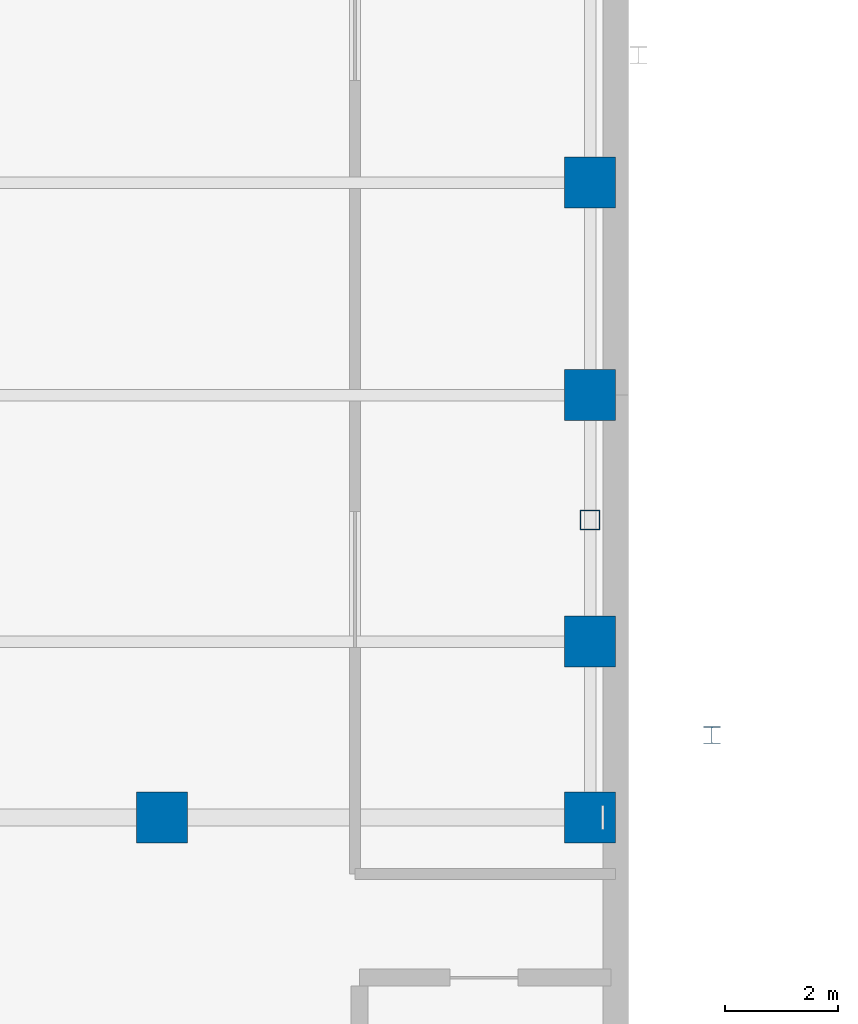
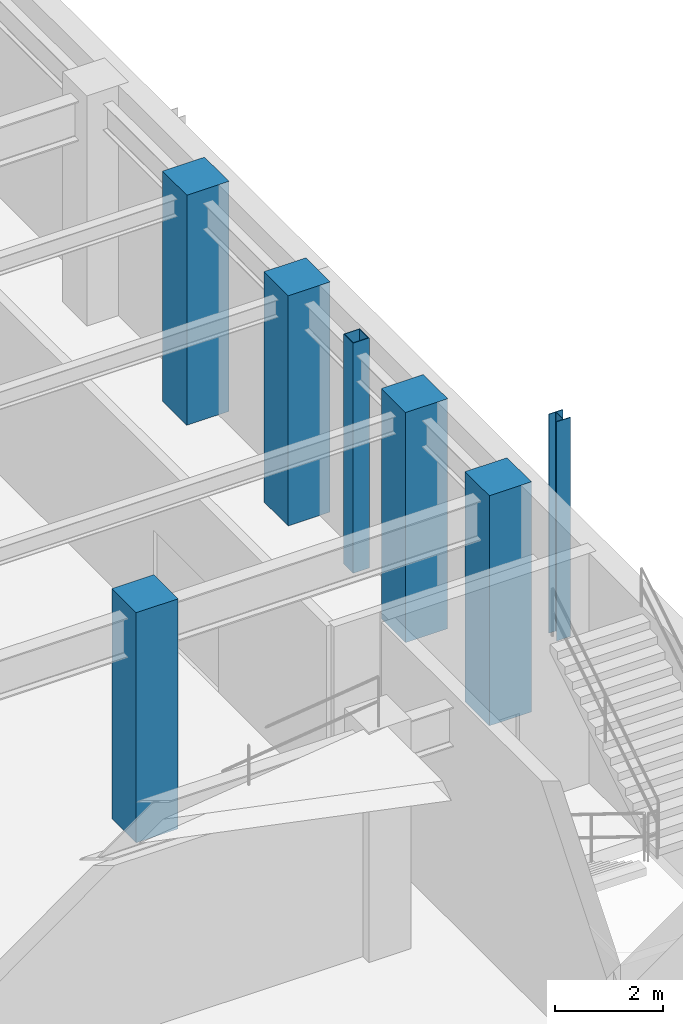
# One storey, part 4 of 16: 7 columns.
"""IFC4 building model written with IfcOpenShell, lengths in metres."""

from ifc_helpers import new_model, si_unit, direction, frame, origin, origin_2d, place, context, subcontext, project, spatial, rectangle, hollow_rectangle, i_section, extrude, material, material_profile, profile_set, type_object, element, save


model = new_model("IFC4")

# Units and contexts
model_context = context("Model", 3, precision=1e-05, world=origin(), true_north=direction((0.0, 1.0)))
body_context = subcontext(model_context, "Body", "Model", "MODEL_VIEW")
ifc_project = project(units=[si_unit("LENGTHUNIT", "METRE"), si_unit("AREAUNIT", "SQUARE_METRE"), si_unit("VOLUMEUNIT", "CUBIC_METRE"), si_unit("PLANEANGLEUNIT", "RADIAN"), si_unit("MASSUNIT", "GRAM", prefix="KILO")], contexts=[model_context])

# Site, building, storey
site_placement = place(None, origin())
site = spatial("IfcSite", under=ifc_project, at=site_placement, CompositionType="ELEMENT")
building_placement = place(site_placement, origin())
building = spatial("IfcBuilding", under=site, at=building_placement, Name="Veldorina Hangang Commons", CompositionType="ELEMENT")
storey_placement = place(building_placement, frame((0.0, 0.0, -5.199951171875)))
storey = spatial("IfcBuildingStorey", under=building, at=storey_placement, Name="B01", CompositionType="ELEMENT", Elevation=-5.199951171875)

# Columns
ifc_material_1 = material(Name="Steel SM355-TMC", Category="steel")
ifc_material_profile_1 = material_profile(ifc_material_1, i_section(OverallWidth=0.300048828125, OverallDepth=0.300048828125, WebThickness=0.010009765625, FlangeThickness=0.014892578125, FilletRadius=0.012939453125, at=origin_2d()), Name="H-300x300x10x15")
ifc_profile_set_1 = profile_set([ifc_material_profile_1], Name="Steel SM355-TMC")
column_type_1 = type_object("IfcColumnType", Name="COL-H300", PredefinedType="COLUMN", material=ifc_profile_set_1)
column_1_placement = place(storey_placement, frame((61.699951171875, 18.0, 0.0), z_axis=(0.0, 0.0, 1.0), x_axis=(1.0, 0.0, 0.0)))
element("IfcColumn", 1, at=column_1_placement, inside=storey, type_object=column_type_1, Name="B01 walkway support pier EAST1", PredefinedType="COLUMN", context=body_context, shape_type="SweptSolid", body=[
    extrude(i_section(OverallWidth=0.300048828125, OverallDepth=0.300048828125, WebThickness=0.010009765625, FlangeThickness=0.014892578125, FilletRadius=0.012939453125, at=origin_2d()), origin(), (0.0, 0.0, 1.0), 4.949951171875),
])
ifc_material_profile_2 = material_profile(ifc_material_1, hollow_rectangle(XDim=0.35009765625, YDim=0.35009765625, WallThickness=0.01611328125, at=origin_2d()), Name="SHS-350x350x16")
ifc_profile_set_2 = profile_set([ifc_material_profile_2], Name="Steel SM355-TMC")
column_type_2 = type_object("IfcColumnType", Name="COL-PIL-350", PredefinedType="PILASTER", material=ifc_profile_set_2)
column_2_placement = place(storey_placement, frame((59.550048828125, 21.800048828125, 0.0), z_axis=(0.0, 0.0, 1.0), x_axis=(1.0, 0.0, 0.0)))
element("IfcColumn", 2, at=column_2_placement, inside=storey, type_object=column_type_2, Name="B01 rationalist colonnade pilaster 4", PredefinedType="PILASTER", context=body_context, shape_type="SweptSolid", body=[
    extrude(hollow_rectangle(XDim=0.35009765625, YDim=0.35009765625, WallThickness=0.01611328125, at=origin_2d()), origin(), (0.0, 0.0, 1.0), 5.199951171875),
])
ifc_material_2 = material(Name="Concrete C50/60", Category="concrete")
ifc_material_profile_3 = material_profile(ifc_material_2, rectangle(XDim=0.89990234375, YDim=0.89990234375, at=origin_2d()), Name="RC-COL-900x900")
ifc_profile_set_3 = profile_set([ifc_material_profile_3], Name="Concrete C50/60")
column_type_3 = type_object("IfcColumnType", Name="COL-RC900", PredefinedType="COLUMN", material=ifc_profile_set_3)
for number, where, z_axis, x_axis, name in (
    (3, (59.550048828125, 16.550048828125, 0.0), (0.0, 0.0, 1.0), (1.0, 0.0, 0.0), "B01 structural column E1"),
    (4, (59.550048828125, 19.64990234375, 0.0), (0.0, 0.0, 1.0), (1.0, 0.0, 0.0), "B01 structural column E2"),
    (5, (59.550048828125, 24.0, 0.0), (0.0, 0.0, 1.0), (1.0, 0.0, 0.0), "B01 structural column E3"),
    (6, (59.550048828125, 27.75, 0.0), (0.0, 0.0, 1.0), (1.0, 0.0, 0.0), "B01 structural column E4"),
    (7, (52.0, 16.550048828125, 0.0), (0.0, 0.0, 1.0), (1.0, 0.0, 0.0), "B01 structural column BM3"),
):
    element("IfcColumn", number, at=place(storey_placement, frame(where, z_axis=z_axis, x_axis=x_axis)), inside=storey, type_object=column_type_3, Name=name, PredefinedType="COLUMN", context=body_context, shape_type="SweptSolid", body=[
        extrude(rectangle(XDim=0.89990234375, YDim=0.89990234375, at=origin_2d()), origin(), (0.0, 0.0, 1.0), 5.199951171875),
    ])

save(model, "model.ifc")
